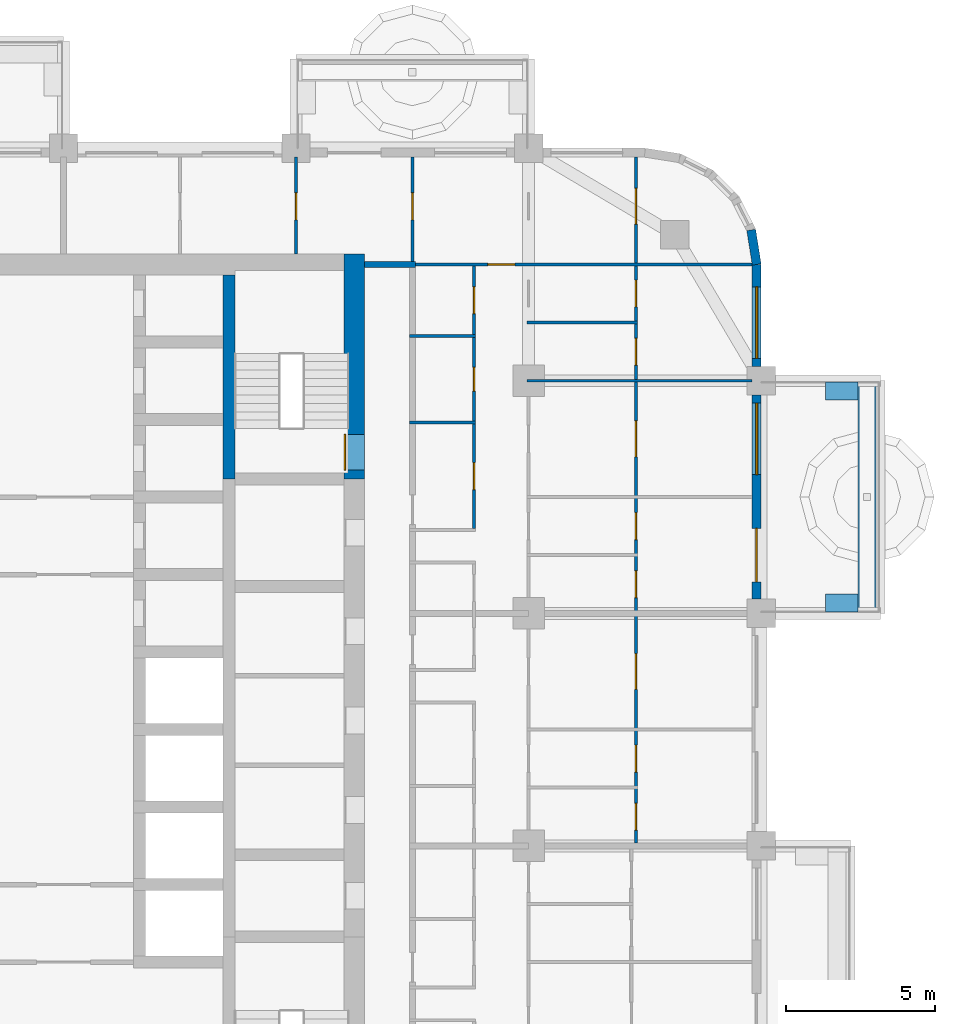
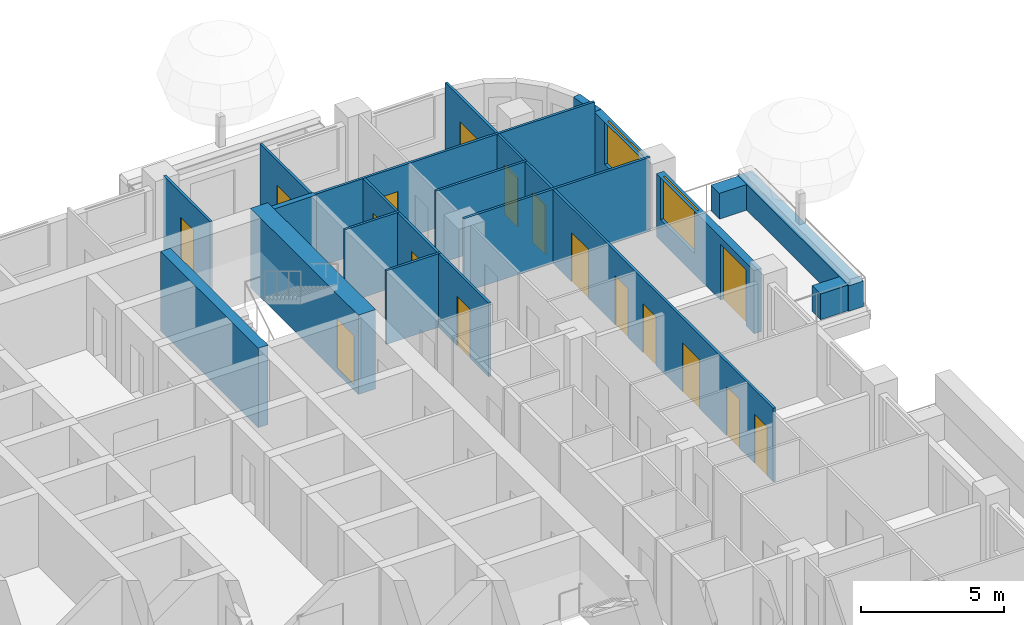
# One storey, part 13 of 19: 18 walls, 17 doors, 2 windows, 19 openings.
"""IFC4 building model written with IfcOpenShell, lengths in metres."""

import ifcopenshell
import ifcopenshell.guid

model = None  # the IFC model being written
_history = None  # IfcOwnerHistory: only IFC2X3 demands one
_inside = {}  # id of a spatial element -> (the spatial element, [elements in it])
_under = {}  # id of a project, library or spatial element -> (it, [spatial elements below it])
_declared = {}  # id of a project -> (the project, [libraries it declares])
_typed = {}  # id of a type object -> (the type object, [elements of that type])
_made_of = {}  # id of a material, layer set ... -> (it, [elements and type objects made of it])


def new_model(schema):
    """Start an empty IFC model of exactly this schema.

    Asked for "IFC4X3", IfcOpenShell would pick the latest addendum, in which some entities
    have other attributes; the version numbers below select the first issue.
    IFC2X3 requires an IfcOwnerHistory on every rooted entity: one is made here for all.
    """
    global model, _history
    if schema == "IFC4X3":
        model = ifcopenshell.file(schema_version=(4, 3, 0, 0))
    else:
        model = ifcopenshell.file(schema=schema)
    _inside.clear()
    _under.clear()
    _declared.clear()
    _typed.clear()
    _made_of.clear()
    _history = None
    if model.schema == "IFC2X3":
        org = make("IfcOrganization", Name="unknown")
        user = make(
            "IfcPersonAndOrganization",
            ThePerson=make("IfcPerson", FamilyName="unknown"),
            TheOrganization=org,
        )
        app = make(
            "IfcApplication",
            ApplicationDeveloper=org,
            Version="unknown",
            ApplicationFullName="unknown",
            ApplicationIdentifier="unknown",
        )
        _history = make(
            "IfcOwnerHistory",
            OwningUser=user,
            OwningApplication=app,
            ChangeAction="ADDED",
            CreationDate=0,
        )
    return model


def make(cls, **values):
    """One entity of the class cls with the attributes given. An attribute that is None is left unset."""
    return model.create_entity(
        cls, **{name: value for name, value in values.items() if value is not None}
    )


def rooted(cls, **values):
    """An entity with a GlobalId (a new one), such as an element, a storey or a relation."""
    return make(cls, GlobalId=ifcopenshell.guid.new(), OwnerHistory=_history, **values)


def si_unit(unit_type, name, prefix=None):
    """IfcSIUnit, for example si_unit("LENGTHUNIT", "METRE", prefix="MILLI")."""
    return make("IfcSIUnit", UnitType=unit_type, Prefix=prefix, Name=name)


def assignment(units):
    """IfcUnitAssignment: the units of a project."""
    return None if units is None else make("IfcUnitAssignment", Units=units)


def point(xyz):
    """IfcCartesianPoint."""
    return None if xyz is None else make("IfcCartesianPoint", Coordinates=xyz)


def direction(xyz):
    """IfcDirection."""
    return None if xyz is None else make("IfcDirection", DirectionRatios=xyz)


def frame(location, z_axis=None, x_axis=None):
    """IfcAxis2Placement3D, a coordinate frame: its origin and axes. An axis left out is left unset."""
    return make(
        "IfcAxis2Placement3D",
        Location=point(location),
        Axis=direction(z_axis),
        RefDirection=direction(x_axis),
    )


def frame_2d(location, x_axis=None):
    """IfcAxis2Placement2D, a coordinate frame in the plane: its origin and x axis."""
    return make(
        "IfcAxis2Placement2D", Location=point(location), RefDirection=direction(x_axis)
    )


def origin():
    """The frame at (0, 0, 0) with its axes left unset."""
    return frame((0.0, 0.0, 0.0))


def place(relative_to, where):
    """IfcLocalPlacement: puts the frame where relative to a parent placement (None: the world)."""
    return make(
        "IfcLocalPlacement", PlacementRelTo=relative_to, RelativePlacement=where
    )


def context(
    kind, dimensions, precision=None, world=None, true_north=None, identifier=None
):
    """IfcGeometricRepresentationContext, for example the 3D "Model" context."""
    return make(
        "IfcGeometricRepresentationContext",
        ContextIdentifier=identifier,
        ContextType=kind,
        CoordinateSpaceDimension=dimensions,
        Precision=precision,
        WorldCoordinateSystem=world,
        TrueNorth=true_north,
    )


def subcontext(parent, identifier, kind, view, scale=None):
    """IfcGeometricRepresentationSubContext, for example "Body" below "Model"."""
    return make(
        "IfcGeometricRepresentationSubContext",
        ContextIdentifier=identifier,
        ContextType=kind,
        ParentContext=parent,
        TargetScale=scale,
        TargetView=view,
    )


def project(units=None, contexts=None):
    """IfcProject with its units and contexts."""
    return rooted(
        "IfcProject",
        Name="project",
        RepresentationContexts=contexts,
        UnitsInContext=assignment(units),
    )


def spatial(cls, under=None, at=None, **own):
    """A site, building, storey or space (cls), placed at a placement, below another one or the project."""
    s = rooted(cls, ObjectPlacement=at, **own)
    if under is not None:
        _under.setdefault(under.id(), (under, []))[1].append(s)
    return s


def profile(cls, at=None, kind="AREA", **sizes):
    """A parametric profile (cls). Its sizes go by their IFC names, for example OverallWidth=200.0."""
    return make(cls, ProfileType=kind, Position=at, **sizes)


def rectangle(**sizes):
    """IfcRectangleProfileDef."""
    return profile("IfcRectangleProfileDef", **sizes)


def extrude(swept, where, along, depth):
    """IfcExtrudedAreaSolid: the profile swept, set in the frame where, extruded along a direction by depth."""
    return make(
        "IfcExtrudedAreaSolid",
        SweptArea=swept,
        Position=where,
        ExtrudedDirection=direction(along),
        Depth=depth,
    )


def shape(context_of_items, identifier, shape_type, items):
    """IfcShapeRepresentation: the items that make up one representation, for example the "Body"."""
    return make(
        "IfcShapeRepresentation",
        ContextOfItems=context_of_items,
        RepresentationIdentifier=identifier,
        RepresentationType=shape_type,
        Items=items,
    )


def material(Name=None, Category=None):
    """IfcMaterial."""
    return make("IfcMaterial", Name=Name, Category=Category)


def layer(
    of_material, thickness, ventilated=None, Name=None, Category=None, Priority=None
):
    """IfcMaterialLayer: one layer of a wall or slab, of a material (None: an air gap)."""
    return make(
        "IfcMaterialLayer",
        Material=of_material,
        LayerThickness=thickness,
        IsVentilated=ventilated,
        Name=Name,
        Category=Category,
        Priority=Priority,
    )


def layer_set(layers, Name=None):
    """IfcMaterialLayerSet."""
    return make("IfcMaterialLayerSet", MaterialLayers=layers, LayerSetName=Name)


def made_of(thing, what):
    """Note that an element or type object is made of a material, layer set ...; save() writes the relation."""
    if what is not None:
        _made_of.setdefault(what.id(), (what, []))[1].append(thing)
    return thing


def type_object(cls, material=None, **own):
    """A type object (cls), such as IfcWallType, which elements share."""
    return made_of(rooted(cls, **own), material)


def element(
    cls,
    number,
    at=None,
    inside=None,
    cuts=None,
    type_object=None,
    material=None,
    context=None,
    identifier="Body",
    shape_type=None,
    held_by="IfcProductDefinitionShape",
    body=None,
    shapes=None,
    **own,
):
    """One element of the class cls, such as IfcWall. Its Tag is "e" and its number.

    at: its placement. inside: the storey or other place that contains it. cuts: it is an
    opening in that element (IfcRelVoidsElement). A single representation is given by context,
    identifier, shape_type and body (its items); several are given by shapes. held_by: the class
    of the entity that holds the representations. save() writes the other relations.
    """
    e = rooted(cls, Tag="e%d" % number, ObjectPlacement=at, **own)
    if body is not None:
        shapes = [shape(context, identifier, shape_type, body)]
    if shapes is not None:
        e.Representation = make(held_by, Representations=shapes)
    if inside is not None:
        _inside.setdefault(inside.id(), (inside, []))[1].append(e)
    if cuts is not None:
        rooted(
            "IfcRelVoidsElement", RelatingBuildingElement=cuts, RelatedOpeningElement=e
        )
    if type_object is not None:
        _typed.setdefault(type_object.id(), (type_object, []))[1].append(e)
    return made_of(e, material)


def fill(opening, filler):
    """IfcRelFillsElement: the door or window that sits in an opening."""
    return rooted(
        "IfcRelFillsElement",
        RelatingOpeningElement=opening,
        RelatedBuildingElement=filler,
    )


def aggregate(whole, parts):
    """IfcRelAggregates: a whole, such as a stair, and the parts it consists of."""
    return rooted("IfcRelAggregates", RelatingObject=whole, RelatedObjects=parts)


def save(model, path):
    """Write the relations noted so far, then the file.

    IfcRelAggregates (storeys below a building ...), IfcRelContainedInSpatialStructure (elements
    in a storey), IfcRelDefinesByType, IfcRelAssociatesMaterial and IfcRelDeclares: one each for
    every whole, place, type object, material and project.
    """
    for whole, parts in _under.values():
        aggregate(whole, parts)
    for where, things in _inside.values():
        rooted(
            "IfcRelContainedInSpatialStructure",
            RelatedElements=things,
            RelatingStructure=where,
        )
    for kind, things in _typed.values():
        rooted("IfcRelDefinesByType", RelatedObjects=things, RelatingType=kind)
    for what, things in _made_of.values():
        rooted("IfcRelAssociatesMaterial", RelatedObjects=things, RelatingMaterial=what)
    for by, libraries in _declared.values():
        rooted("IfcRelDeclares", RelatingContext=by, RelatedDefinitions=libraries)
    model.write(path)


model = new_model("IFC4")

# Units and contexts
model_context = context("Model", 3, precision=1e-05, world=origin(), true_north=direction((0.0, 1.0)))
body_context = subcontext(model_context, "Body", "Model", "MODEL_VIEW")
ifc_project = project(units=[si_unit("LENGTHUNIT", "METRE"), si_unit("AREAUNIT", "SQUARE_METRE"), si_unit("VOLUMEUNIT", "CUBIC_METRE"), si_unit("PLANEANGLEUNIT", "RADIAN"), si_unit("MASSUNIT", "GRAM", prefix="KILO")], contexts=[model_context])

# Site, building, storey
site_placement = place(None, origin())
site = spatial("IfcSite", under=ifc_project, at=site_placement, CompositionType="ELEMENT")
building_placement = place(site_placement, origin())
building = spatial("IfcBuilding", under=site, at=building_placement, Name="Ludao Terraces", CompositionType="ELEMENT")
storey_placement = place(building_placement, frame((0.0, 0.0, 68.199951171875)))
storey = spatial("IfcBuildingStorey", under=building, at=storey_placement, Name="L18", CompositionType="ELEMENT", Elevation=68.199951171875)

# Wall, opening, door
ifc_material_1 = material(Name="Concrete C70", Category="concrete")
ifc_layer_1 = layer(ifc_material_1, 0.699951171875)
ifc_layer_set_1 = layer_set([ifc_layer_1], Name="Core wall 700 C70")
wall_type_1 = type_object("IfcWallType", Name="Core wall 700 C70", PredefinedType="SOLIDWALL", material=ifc_layer_set_1)
wall_1_placement = place(storey_placement, frame((94.75, 77.300048828125, -0.25), z_axis=(0.0, 0.0, 1.0), x_axis=(0.0, 1.0, 0.0)))
wall_1 = element("IfcWall", 1, at=wall_1_placement, inside=storey, type_object=wall_type_1, Name="Core wall L18 outer-E-S2", PredefinedType="SOLIDWALL", context=body_context, shape_type="SweptSolid", body=[
    extrude(rectangle(XDim=7.550048828125, YDim=0.699951171875, at=frame_2d((3.77490234375, 0.0))), origin(), (0.0, 0.0, 1.0), 3.400146484375),
])
opening_1_placement = place(wall_1_placement, frame((0.300048828125, 0.0, 0.25)))
opening_1 = element("IfcOpeningElement", 2, at=opening_1_placement, cuts=wall_1, Name="Opening R05-136", PredefinedType="OPENING", context=body_context, shape_type="SweptSolid", body=[
    extrude(rectangle(XDim=1.199951171875, YDim=2.10009765625, at=frame_2d((0.60009765625, 1.050048828125))), frame((0.0, 0.35986328125, 0.0), z_axis=(0.0, -1.0, 0.0), x_axis=(1.0, 0.0, 0.0)), (0.0, 0.0, 1.0), 0.719970703125),
])
ifc_material_2 = material(Name="Steel Q235", Category="steel")
door_type_1 = type_object("IfcDoorType", Name="INT Stair door 1200", OperationType="DOUBLE_DOOR_SINGLE_SWING", PredefinedType="DOOR", material=ifc_material_2)
door_1_placement = place(opening_1_placement, origin())
door_1 = element("IfcDoor", 3, at=door_1_placement, inside=storey, type_object=door_type_1, Name="DOOR 136", OperationType="DOUBLE_DOOR_SINGLE_SWING", OverallHeight=2.10009765625, OverallWidth=1.199951171875, PredefinedType="DOOR", context=body_context, shape_type="SweptSolid", body=[
    extrude(rectangle(XDim=1.199951171875, YDim=2.10009765625, at=frame_2d((0.60009765625, 1.050048828125))), frame((0.0, 0.3349609375, 0.0), z_axis=(0.0, -1.0, 0.0), x_axis=(1.0, 0.0, 0.0)), (0.0, 0.0, 1.0), 0.050048828125),
])
fill(opening_1, door_1)

# Walls
ifc_material_3 = material(Name="Concrete C40", Category="concrete")
ifc_layer_2 = layer(ifc_material_3, 0.60009765625)
ifc_layer_set_2 = layer_set([ifc_layer_2], Name="ENV Planter trough 600")
wall_type_2 = type_object("IfcWallType", Name="ENV Planter trough 600", PredefinedType="USERDEFINED", material=ifc_layer_set_2)
wall_2_placement = place(storey_placement, frame((111.949951171875, 72.800048828125, 0.0), z_axis=(0.0, 0.0, 1.0), x_axis=(0.0, 1.0, 0.0)))
element("IfcWall", 4, at=wall_2_placement, inside=storey, type_object=wall_type_2, Name="PL-L18-E4", ObjectType="PLANTER", PredefinedType="USERDEFINED", context=body_context, shape_type="SweptSolid", body=[
    extrude(rectangle(XDim=7.800048828125, YDim=0.60009765625, at=frame_2d((3.89990234375, 0.0))), origin(), (0.0, 0.0, 1.0), 1.10009765625),
])
for number, where, z_axis, x_axis, name in (
    (5, (111.64990234375, 73.14990234375, 0.0), (0.0, 0.0, 1.0), (-1.0, 0.0, 0.0), "PL-L18-E4-SA"),
    (6, (111.64990234375, 80.25, 0.0), (0.0, 0.0, 1.0), (-1.0, 0.0, 0.0), "PL-L18-E4-SB"),
):
    element("IfcWall", number, at=place(storey_placement, frame(where, z_axis=z_axis, x_axis=x_axis)), inside=storey, type_object=wall_type_2, Name=name, ObjectType="PLANTER", PredefinedType="USERDEFINED", context=body_context, shape_type="SweptSolid", body=[
        extrude(rectangle(XDim=1.099853515625, YDim=0.60009765625, at=frame_2d((0.5498046875, 0.0))), origin(), (0.0, 0.0, 1.0), 1.10009765625),
    ])

# Wall, openings, door, window
ifc_material_4 = material(Name="Granite cladding", Category="masonry")
ifc_layer_3 = layer(ifc_material_4, 0.0400390625, Category="stone")
ifc_material_5 = material(Name="Mineral wool")
ifc_layer_4 = layer(ifc_material_5, 0.06005859375)
ifc_layer_5 = layer(ifc_material_3, 0.199951171875, Category="concrete")
ifc_layer_set_3 = layer_set([ifc_layer_3, ifc_layer_4, ifc_layer_5], Name="ENV Stone-clad wall 300")
wall_type_3 = type_object("IfcWallType", Name="ENV Stone-clad wall 300", PredefinedType="SOLIDWALL", material=ifc_layer_set_3)
wall_3_placement = place(storey_placement, frame((108.25, 73.27490234375, 0.0), z_axis=(0.0, 0.0, 1.0), x_axis=(0.0, 1.0, 0.0)))
wall_3 = element("IfcWall", 7, at=wall_3_placement, inside=storey, type_object=wall_type_3, Name="EW-L18-E5", PredefinedType="SOLIDWALL", context=body_context, shape_type="SweptSolid", body=[
    extrude(rectangle(XDim=6.85009765625, YDim=0.300048828125, at=frame_2d((3.425048828125, 0.0))), origin(), (0.0, 0.0, 1.0), 2.699951171875),
])
opening_2_placement = place(wall_3_placement, frame((0.574951171875, 0.0, 0.0)))
opening_2 = element("IfcOpeningElement", 8, at=opening_2_placement, cuts=wall_3, Name="Opening BD", PredefinedType="OPENING", context=body_context, shape_type="SweptSolid", body=[
    extrude(rectangle(XDim=1.800048828125, YDim=2.39990234375, at=frame_2d((0.89990234375, 1.199951171875))), frame((0.0, 0.16015625, 0.0), z_axis=(0.0, -1.0, 0.0), x_axis=(1.0, 0.0, 0.0)), (0.0, 0.0, 1.0), 0.320068359375),
])
opening_3_placement = place(wall_3_placement, frame((4.175048828125, 0.0, 0.89990234375)))
opening_3 = element("IfcOpeningElement", 9, at=opening_3_placement, cuts=wall_3, Name="Opening W1", PredefinedType="OPENING", context=body_context, shape_type="SweptSolid", body=[
    extrude(rectangle(XDim=2.39990234375, YDim=1.800048828125, at=frame_2d((1.199951171875, 0.89990234375))), frame((0.0, 0.16015625, 0.0), z_axis=(0.0, -1.0, 0.0), x_axis=(1.0, 0.0, 0.0)), (0.0, 0.0, 1.0), 0.320068359375),
])
ifc_material_6 = material(Name="Aluminium glazed door", Category="aluminium")
ifc_layer_6 = layer(ifc_material_6, 0.06005859375)
ifc_layer_set_4 = layer_set([ifc_layer_6], Name="ENV Balcony door BD 1800x2400")
door_type_2 = type_object("IfcDoorType", Name="ENV Balcony door BD 1800x2400", OperationType="DOUBLE_DOOR_SINGLE_SWING", PredefinedType="DOOR", material=ifc_layer_set_4)
door_2_placement = place(opening_2_placement, origin())
door_2 = element("IfcDoor", 10, at=door_2_placement, inside=storey, type_object=door_type_2, Name="BD-L18-E5-1", OperationType="DOUBLE_DOOR_SINGLE_SWING", OverallHeight=2.39990234375, OverallWidth=1.800048828125, PredefinedType="DOOR", context=body_context, shape_type="SweptSolid", body=[
    extrude(rectangle(XDim=1.800048828125, YDim=2.39990234375, at=frame_2d((0.89990234375, 1.199951171875))), frame((0.0, 0.02490234375, 0.0), z_axis=(0.0, -1.0, 0.0), x_axis=(1.0, 0.0, 0.0)), (0.0, 0.0, 1.0), 0.050048828125),
])
fill(opening_2, door_2)
ifc_material_7 = material(Name="Clear glass in aluminium frame", Category="aluminium")
ifc_layer_7 = layer(ifc_material_7, 0.06005859375)
ifc_layer_set_5 = layer_set([ifc_layer_7], Name="ENV Window W1 2400x1800")
window_type = type_object("IfcWindowType", Name="ENV Window W1 2400x1800", PartitioningType="DOUBLE_PANEL_VERTICAL", PredefinedType="WINDOW", material=ifc_layer_set_5)
window_1_placement = place(opening_3_placement, origin())
window_1 = element("IfcWindow", 11, at=window_1_placement, inside=storey, type_object=window_type, Name="W-L18-E5-2", OverallHeight=1.800048828125, OverallWidth=2.39990234375, PartitioningType="DOUBLE_PANEL_VERTICAL", PredefinedType="WINDOW", context=body_context, shape_type="SweptSolid", body=[
    extrude(rectangle(XDim=2.39990234375, YDim=1.800048828125, at=frame_2d((1.199951171875, 0.89990234375))), frame((0.0, 0.030029296875, 0.0), z_axis=(0.0, -1.0, 0.0), x_axis=(1.0, 0.0, 0.0)), (0.0, 0.0, 1.0), 0.06005859375),
])
fill(opening_3, window_1)

# Wall, opening, window
wall_4_placement = place(storey_placement, frame((108.25, 81.074951171875, 0.0), z_axis=(0.0, 0.0, 1.0), x_axis=(0.0, 1.0, 0.0)))
wall_4 = element("IfcWall", 12, at=wall_4_placement, inside=storey, type_object=wall_type_3, Name="EW-L18-E6", PredefinedType="SOLIDWALL", context=body_context, shape_type="SweptSolid", body=[
    extrude(rectangle(XDim=3.425048828125, YDim=0.300048828125, at=frame_2d((1.71240234375, 0.0))), origin(), (0.0, 0.0, 1.0), 2.699951171875),
])
opening_4_placement = place(wall_4_placement, frame((0.27490234375, 0.0, 0.89990234375)))
opening_4 = element("IfcOpeningElement", 13, at=opening_4_placement, cuts=wall_4, Name="Opening W1", PredefinedType="OPENING", context=body_context, shape_type="SweptSolid", body=[
    extrude(rectangle(XDim=2.39990234375, YDim=1.800048828125, at=frame_2d((1.199951171875, 0.89990234375))), frame((0.0, 0.16015625, 0.0), z_axis=(0.0, -1.0, 0.0), x_axis=(1.0, 0.0, 0.0)), (0.0, 0.0, 1.0), 0.320068359375),
])
window_2_placement = place(opening_4_placement, origin())
window_2 = element("IfcWindow", 14, at=window_2_placement, inside=storey, type_object=window_type, Name="W-L18-E6-1", OverallHeight=1.800048828125, OverallWidth=2.39990234375, PartitioningType="DOUBLE_PANEL_VERTICAL", PredefinedType="WINDOW", context=body_context, shape_type="SweptSolid", body=[
    extrude(rectangle(XDim=2.39990234375, YDim=1.800048828125, at=frame_2d((1.199951171875, 0.89990234375))), frame((0.0, 0.030029296875, 0.0), z_axis=(0.0, -1.0, 0.0), x_axis=(1.0, 0.0, 0.0)), (0.0, 0.0, 1.0), 0.06005859375),
])
fill(opening_4, window_2)

# Walls
wall_5_placement = place(storey_placement, frame((108.25, 84.5, 0.0), z_axis=(0.0, 0.0, 1.0), x_axis=(-0.156496880861, 0.987678452879, 0.0)))
element("IfcWall", 15, at=wall_5_placement, inside=storey, type_object=wall_type_3, Name="EW-L18-NE1", PredefinedType="SOLIDWALL", context=body_context, shape_type="SweptSolid", body=[
    extrude(rectangle(XDim=1.173095703125, YDim=0.300048828125, at=frame_2d((0.58642578125, 0.0))), origin(), (0.0, 0.0, 1.0), 2.699951171875),
])
ifc_material_8 = material(Name="Autoclaved aerated concrete block B06 A3.5", Category="concrete")
ifc_layer_8 = layer(ifc_material_8, 0.199951171875)
ifc_layer_set_6 = layer_set([ifc_layer_8], Name="INT Entrance wall 200")
wall_type_4 = type_object("IfcWallType", Name="INT Entrance wall 200", PredefinedType="PARTITIONING", material=ifc_layer_set_6)
wall_6_placement = place(storey_placement, frame((95.10009765625, 84.5, 0.0), z_axis=(0.0, 0.0, 1.0), x_axis=(1.0, 0.0, 0.0)))
element("IfcWall", 16, at=wall_6_placement, inside=storey, type_object=wall_type_4, Name="PW-L18-PW079", PredefinedType="PARTITIONING", context=body_context, shape_type="SweptSolid", body=[
    extrude(rectangle(XDim=1.699951171875, YDim=0.199951171875, at=frame_2d((0.85009765625, 0.0))), origin(), (0.0, 0.0, 1.0), 3.150146484375),
])
ifc_material_9 = material(Name="Gypsum plasterboard", Category="gypsum")
ifc_layer_9 = layer(ifc_material_9, 0.012451171875, Category="gypsum")
ifc_layer_10 = layer(ifc_material_5, 0.06005859375, Name="insulation")
ifc_layer_11 = layer(ifc_material_2, 0.014892578125, Name="stud")
ifc_layer_12 = layer(ifc_material_9, 0.012451171875, Category="gypsum")
ifc_layer_set_7 = layer_set([ifc_layer_9, ifc_layer_10, ifc_layer_11, ifc_layer_12], Name="INT Partition 100")
wall_type_5 = type_object("IfcWallType", Name="INT Partition 100", PredefinedType="PARTITIONING", material=ifc_layer_set_7)
wall_7_placement = place(storey_placement, frame((96.60009765625, 79.199951171875, 0.0), z_axis=(0.0, 0.0, 1.0), x_axis=(1.0, 0.0, 0.0)))
element("IfcWall", 17, at=wall_7_placement, inside=storey, type_object=wall_type_5, Name="PW-L18-PW068", PredefinedType="PARTITIONING", context=body_context, shape_type="SweptSolid", body=[
    extrude(rectangle(XDim=2.219970703125, YDim=0.10009765625, at=frame_2d((1.10986328125, 0.0))), origin(), (0.0, 0.0, 1.0), 3.150146484375),
])
wall_8_placement = place(storey_placement, frame((100.550048828125, 80.60009765625, 0.0), z_axis=(0.0, 0.0, 1.0), x_axis=(1.0, 0.0, 0.0)))
element("IfcWall", 18, at=wall_8_placement, inside=storey, type_object=wall_type_5, Name="PW-L18-PW071", PredefinedType="PARTITIONING", context=body_context, shape_type="SweptSolid", body=[
    extrude(rectangle(XDim=7.550048828125, YDim=0.10009765625, at=frame_2d((3.77490234375, 0.0))), origin(), (0.0, 0.0, 1.0), 3.150146484375),
])
wall_9_placement = place(storey_placement, frame((96.60009765625, 82.10009765625, 0.0), z_axis=(0.0, 0.0, 1.0), x_axis=(1.0, 0.0, 0.0)))
element("IfcWall", 19, at=wall_9_placement, inside=storey, type_object=wall_type_5, Name="PW-L18-PW073", PredefinedType="PARTITIONING", context=body_context, shape_type="SweptSolid", body=[
    extrude(rectangle(XDim=2.219970703125, YDim=0.10009765625, at=frame_2d((1.10986328125, 0.0))), origin(), (0.0, 0.0, 1.0), 3.150146484375),
])
wall_10_placement = place(storey_placement, frame((100.550048828125, 82.550048828125, 0.0), z_axis=(0.0, 0.0, 1.0), x_axis=(1.0, 0.0, 0.0)))
element("IfcWall", 20, at=wall_10_placement, inside=storey, type_object=wall_type_5, Name="PW-L18-PW076", PredefinedType="PARTITIONING", context=body_context, shape_type="SweptSolid", body=[
    extrude(rectangle(XDim=3.699951171875, YDim=0.10009765625, at=frame_2d((1.85009765625, 0.0))), origin(), (0.0, 0.0, 1.0), 3.150146484375),
])

# Wall, opening, door
wall_11_placement = place(storey_placement, frame((96.60009765625, 84.5, 0.0), z_axis=(0.0, 0.0, 1.0), x_axis=(1.0, 0.0, 0.0)))
wall_11 = element("IfcWall", 21, at=wall_11_placement, inside=storey, type_object=wall_type_5, Name="PW-L18-PW080", PredefinedType="PARTITIONING", context=body_context, shape_type="SweptSolid", body=[
    extrude(rectangle(XDim=11.5, YDim=0.10009765625, at=frame_2d((5.75, 0.0))), origin(), (0.0, 0.0, 1.0), 3.150146484375),
])
opening_5_placement = place(wall_11_placement, frame((2.635009765625, 0.0, 0.0)))
opening_5 = element("IfcOpeningElement", 22, at=opening_5_placement, cuts=wall_11, Name="Opening R05-158", PredefinedType="OPENING", context=body_context, shape_type="SweptSolid", body=[
    extrude(rectangle(XDim=0.89990234375, YDim=2.10009765625, at=frame_2d((0.449951171875, 1.050048828125))), frame((0.0, 0.06005859375, 0.0), z_axis=(0.0, -1.0, 0.0), x_axis=(1.0, 0.0, 0.0)), (0.0, 0.0, 1.0), 0.1201171875),
])
ifc_material_10 = material(Name="Timber door leaf", Category="wood")
door_type_3 = type_object("IfcDoorType", Name="INT Room door 900", OperationType="SINGLE_SWING_LEFT", PredefinedType="DOOR", material=ifc_material_10)
door_3_placement = place(opening_5_placement, origin())
door_3 = element("IfcDoor", 23, at=door_3_placement, inside=storey, type_object=door_type_3, Name="DOOR 158", OperationType="SINGLE_SWING_RIGHT", OverallHeight=2.10009765625, OverallWidth=0.89990234375, PredefinedType="DOOR", context=body_context, shape_type="SweptSolid", body=[
    extrude(rectangle(XDim=0.89990234375, YDim=2.10009765625, at=frame_2d((0.449951171875, 1.050048828125))), frame((0.0, 0.02490234375, 0.0), z_axis=(0.0, -1.0, 0.0), x_axis=(1.0, 0.0, 0.0)), (0.0, 0.0, 1.0), 0.050048828125),
])
fill(opening_5, door_3)

wall_12_placement = place(storey_placement, frame((92.800048828125, 84.85009765625, 0.0), z_axis=(0.0, 0.0, 1.0), x_axis=(0.0, 1.0, 0.0)))
wall_12 = element("IfcWall", 24, at=wall_12_placement, inside=storey, type_object=wall_type_5, Name="PW-L18-PW115", PredefinedType="PARTITIONING", context=body_context, shape_type="SweptSolid", body=[
    extrude(rectangle(XDim=3.25, YDim=0.10009765625, at=frame_2d((1.625, 0.0))), origin(), (0.0, 0.0, 1.0), 3.150146484375),
])
opening_6_placement = place(wall_12_placement, frame((1.14990234375, 0.0, 0.0)))
opening_6 = element("IfcOpeningElement", 25, at=opening_6_placement, cuts=wall_12, Name="Opening R05-165", PredefinedType="OPENING", context=body_context, shape_type="SweptSolid", body=[
    extrude(rectangle(XDim=0.89990234375, YDim=2.10009765625, at=frame_2d((0.449951171875, 1.050048828125))), frame((0.0, 0.06005859375, 0.0), z_axis=(0.0, -1.0, 0.0), x_axis=(1.0, 0.0, 0.0)), (0.0, 0.0, 1.0), 0.1201171875),
])
door_4_placement = place(opening_6_placement, origin())
door_4 = element("IfcDoor", 26, at=door_4_placement, inside=storey, type_object=door_type_3, Name="DOOR 165", OperationType="SINGLE_SWING_LEFT", OverallHeight=2.10009765625, OverallWidth=0.89990234375, PredefinedType="DOOR", context=body_context, shape_type="SweptSolid", body=[
    extrude(rectangle(XDim=0.89990234375, YDim=2.10009765625, at=frame_2d((0.449951171875, 1.050048828125))), frame((0.0, 0.02490234375, 0.0), z_axis=(0.0, -1.0, 0.0), x_axis=(1.0, 0.0, 0.0)), (0.0, 0.0, 1.0), 0.050048828125),
])
fill(opening_6, door_4)

wall_13_placement = place(storey_placement, frame((96.699951171875, 84.60009765625, 0.0), z_axis=(0.0, 0.0, 1.0), x_axis=(0.0, 1.0, 0.0)))
wall_13 = element("IfcWall", 27, at=wall_13_placement, inside=storey, type_object=wall_type_5, Name="PW-L18-PW119", PredefinedType="PARTITIONING", context=body_context, shape_type="SweptSolid", body=[
    extrude(rectangle(XDim=3.5, YDim=0.10009765625, at=frame_2d((1.75, 0.0))), origin(), (0.0, 0.0, 1.0), 3.150146484375),
])
opening_7_placement = place(wall_13_placement, frame((1.39990234375, 0.0, 0.0)))
opening_7 = element("IfcOpeningElement", 28, at=opening_7_placement, cuts=wall_13, Name="Opening R05-166", PredefinedType="OPENING", context=body_context, shape_type="SweptSolid", body=[
    extrude(rectangle(XDim=0.89990234375, YDim=2.10009765625, at=frame_2d((0.449951171875, 1.050048828125))), frame((0.0, 0.06005859375, 0.0), z_axis=(0.0, -1.0, 0.0), x_axis=(1.0, 0.0, 0.0)), (0.0, 0.0, 1.0), 0.1201171875),
])
door_5_placement = place(opening_7_placement, origin())
door_5 = element("IfcDoor", 29, at=door_5_placement, inside=storey, type_object=door_type_3, Name="DOOR 166", OperationType="SINGLE_SWING_RIGHT", OverallHeight=2.10009765625, OverallWidth=0.89990234375, PredefinedType="DOOR", context=body_context, shape_type="SweptSolid", body=[
    extrude(rectangle(XDim=0.89990234375, YDim=2.10009765625, at=frame_2d((0.449951171875, 1.050048828125))), frame((0.0, 0.02490234375, 0.0), z_axis=(0.0, -1.0, 0.0), x_axis=(1.0, 0.0, 0.0)), (0.0, 0.0, 1.0), 0.050048828125),
])
fill(opening_7, door_5)

# Wall, openings, doors
wall_14_placement = place(storey_placement, frame((98.77001953125, 75.650146484375, 0.0), z_axis=(0.0, 0.0, 1.0), x_axis=(0.0, 1.0, 0.0)))
wall_14 = element("IfcWall", 30, at=wall_14_placement, inside=storey, type_object=wall_type_5, Name="PW-L18-PW124", PredefinedType="PARTITIONING", context=body_context, shape_type="SweptSolid", body=[
    extrude(rectangle(XDim=8.800048828125, YDim=0.10009765625, at=frame_2d((4.39990234375, 0.0))), origin(), (0.0, 0.0, 1.0), 3.150146484375),
])
opening_8_placement = place(wall_14_placement, frame((1.300048828125, 0.0, 0.0)))
opening_8 = element("IfcOpeningElement", 31, at=opening_8_placement, cuts=wall_14, Name="Opening R05-131", PredefinedType="OPENING", context=body_context, shape_type="SweptSolid", body=[
    extrude(rectangle(XDim=0.89990234375, YDim=2.10009765625, at=frame_2d((0.449951171875, 1.050048828125))), frame((0.0, 0.06005859375, 0.0), z_axis=(0.0, -1.0, 0.0), x_axis=(1.0, 0.0, 0.0)), (0.0, 0.0, 1.0), 0.1201171875),
])
opening_9_placement = place(wall_14_placement, frame((4.60009765625, 0.0, 0.0)))
opening_9 = element("IfcOpeningElement", 32, at=opening_9_placement, cuts=wall_14, Name="Opening R05-145", PredefinedType="OPENING", context=body_context, shape_type="SweptSolid", body=[
    extrude(rectangle(XDim=0.800048828125, YDim=2.10009765625, at=frame_2d((0.39990234375, 1.050048828125))), frame((0.0, 0.06005859375, 0.0), z_axis=(0.0, -1.0, 0.0), x_axis=(1.0, 0.0, 0.0)), (0.0, 0.0, 1.0), 0.1201171875),
])
opening_10_placement = place(wall_14_placement, frame((7.199951171875, 0.0, 0.0)))
opening_10 = element("IfcOpeningElement", 33, at=opening_10_placement, cuts=wall_14, Name="Opening R05-151", PredefinedType="OPENING", context=body_context, shape_type="SweptSolid", body=[
    extrude(rectangle(XDim=0.89990234375, YDim=2.10009765625, at=frame_2d((0.449951171875, 1.050048828125))), frame((0.0, 0.06005859375, 0.0), z_axis=(0.0, -1.0, 0.0), x_axis=(1.0, 0.0, 0.0)), (0.0, 0.0, 1.0), 0.1201171875),
])
door_type_4 = type_object("IfcDoorType", Name="INT Bathroom door 900", OperationType="SINGLE_SWING_LEFT", PredefinedType="DOOR", material=ifc_material_10)
door_6_placement = place(opening_10_placement, origin())
door_6 = element("IfcDoor", 34, at=door_6_placement, inside=storey, type_object=door_type_4, Name="DOOR 151", OperationType="SINGLE_SWING_LEFT", OverallHeight=2.10009765625, OverallWidth=0.89990234375, PredefinedType="DOOR", context=body_context, shape_type="SweptSolid", body=[
    extrude(rectangle(XDim=0.89990234375, YDim=2.10009765625, at=frame_2d((0.449951171875, 1.050048828125))), frame((0.0, 0.02490234375, 0.0), z_axis=(0.0, -1.0, 0.0), x_axis=(1.0, 0.0, 0.0)), (0.0, 0.0, 1.0), 0.050048828125),
])
fill(opening_10, door_6)
door_7_placement = place(opening_8_placement, origin())
door_7 = element("IfcDoor", 35, at=door_7_placement, inside=storey, type_object=door_type_3, Name="DOOR 131", OperationType="SINGLE_SWING_LEFT", OverallHeight=2.10009765625, OverallWidth=0.89990234375, PredefinedType="DOOR", context=body_context, shape_type="SweptSolid", body=[
    extrude(rectangle(XDim=0.89990234375, YDim=2.10009765625, at=frame_2d((0.449951171875, 1.050048828125))), frame((0.0, 0.02490234375, 0.0), z_axis=(0.0, -1.0, 0.0), x_axis=(1.0, 0.0, 0.0)), (0.0, 0.0, 1.0), 0.050048828125),
])
fill(opening_8, door_7)
door_type_5 = type_object("IfcDoorType", Name="INT Store door 800", OperationType="SINGLE_SWING_LEFT", PredefinedType="DOOR", material=ifc_material_10)
door_8_placement = place(opening_9_placement, origin())
door_8 = element("IfcDoor", 36, at=door_8_placement, inside=storey, type_object=door_type_5, Name="DOOR 145", OperationType="SINGLE_SWING_RIGHT", OverallHeight=2.10009765625, OverallWidth=0.800048828125, PredefinedType="DOOR", context=body_context, shape_type="SweptSolid", body=[
    extrude(rectangle(XDim=0.800048828125, YDim=2.10009765625, at=frame_2d((0.39990234375, 1.050048828125))), frame((0.0, 0.02490234375, 0.0), z_axis=(0.0, -1.0, 0.0), x_axis=(1.0, 0.0, 0.0)), (0.0, 0.0, 1.0), 0.050048828125),
])
fill(opening_9, door_8)

wall_15_placement = place(storey_placement, frame((104.199951171875, 65.10009765625, 0.0), z_axis=(0.0, 0.0, 1.0), x_axis=(0.0, 1.0, 0.0)))
wall_15 = element("IfcWall", 37, at=wall_15_placement, inside=storey, type_object=wall_type_5, Name="PW-L18-PW127", PredefinedType="PARTITIONING", context=body_context, shape_type="SweptSolid", body=[
    extrude(rectangle(XDim=23.0, YDim=0.10009765625, at=frame_2d((11.5, 0.0))), origin(), (0.0, 0.0, 1.0), 3.150146484375),
])
opening_11_placement = place(wall_15_placement, frame((0.425048828125, 0.0, 0.0)))
opening_11 = element("IfcOpeningElement", 38, at=opening_11_placement, cuts=wall_15, Name="Opening R05-090", PredefinedType="OPENING", context=body_context, shape_type="SweptSolid", body=[
    extrude(rectangle(XDim=0.89990234375, YDim=2.10009765625, at=frame_2d((0.449951171875, 1.050048828125))), frame((0.0, 0.06005859375, 0.0), z_axis=(0.0, -1.0, 0.0), x_axis=(1.0, 0.0, 0.0)), (0.0, 0.0, 1.0), 0.1201171875),
])
opening_12_placement = place(wall_15_placement, frame((2.375, 0.0, 0.0)))
opening_12 = element("IfcOpeningElement", 39, at=opening_12_placement, cuts=wall_15, Name="Opening R05-099", PredefinedType="OPENING", context=body_context, shape_type="SweptSolid", body=[
    extrude(rectangle(XDim=0.89990234375, YDim=2.10009765625, at=frame_2d((0.449951171875, 1.050048828125))), frame((0.0, 0.06005859375, 0.0), z_axis=(0.0, -1.0, 0.0), x_axis=(1.0, 0.0, 0.0)), (0.0, 0.0, 1.0), 0.1201171875),
])
opening_13_placement = place(wall_15_placement, frame((5.14990234375, 0.0, 0.0)))
opening_13 = element("IfcOpeningElement", 40, at=opening_13_placement, cuts=wall_15, Name="Opening R05-107", PredefinedType="OPENING", context=body_context, shape_type="SweptSolid", body=[
    extrude(rectangle(XDim=1.199951171875, YDim=2.10009765625, at=frame_2d((0.60009765625, 1.050048828125))), frame((0.0, 0.06005859375, 0.0), z_axis=(0.0, -1.0, 0.0), x_axis=(1.0, 0.0, 0.0)), (0.0, 0.0, 1.0), 0.1201171875),
])
opening_14_placement = place(wall_15_placement, frame((8.22509765625, 0.0, 0.0)))
opening_14 = element("IfcOpeningElement", 41, at=opening_14_placement, cuts=wall_15, Name="Opening R05-117", PredefinedType="OPENING", context=body_context, shape_type="SweptSolid", body=[
    extrude(rectangle(XDim=0.89990234375, YDim=2.10009765625, at=frame_2d((0.449951171875, 1.050048828125))), frame((0.0, 0.06005859375, 0.0), z_axis=(0.0, -1.0, 0.0), x_axis=(1.0, 0.0, 0.0)), (0.0, 0.0, 1.0), 0.1201171875),
])
opening_15_placement = place(wall_15_placement, frame((10.175048828125, 0.0, 0.0)))
opening_15 = element("IfcOpeningElement", 42, at=opening_15_placement, cuts=wall_15, Name="Opening R05-126", PredefinedType="OPENING", context=body_context, shape_type="SweptSolid", body=[
    extrude(rectangle(XDim=0.89990234375, YDim=2.10009765625, at=frame_2d((0.449951171875, 1.050048828125))), frame((0.0, 0.06005859375, 0.0), z_axis=(0.0, -1.0, 0.0), x_axis=(1.0, 0.0, 0.0)), (0.0, 0.0, 1.0), 0.1201171875),
])
opening_16_placement = place(wall_15_placement, frame((12.949951171875, 0.0, 0.0)))
opening_16 = element("IfcOpeningElement", 43, at=opening_16_placement, cuts=wall_15, Name="Opening R05-140", PredefinedType="OPENING", context=body_context, shape_type="SweptSolid", body=[
    extrude(rectangle(XDim=1.199951171875, YDim=2.10009765625, at=frame_2d((0.60009765625, 1.050048828125))), frame((0.0, 0.06005859375, 0.0), z_axis=(0.0, -1.0, 0.0), x_axis=(1.0, 0.0, 0.0)), (0.0, 0.0, 1.0), 0.1201171875),
])
opening_17_placement = place(wall_15_placement, frame((16.02490234375, 0.0, 0.0)))
opening_17 = element("IfcOpeningElement", 44, at=opening_17_placement, cuts=wall_15, Name="Opening R05-147", PredefinedType="OPENING", context=body_context, shape_type="SweptSolid", body=[
    extrude(rectangle(XDim=0.89990234375, YDim=2.10009765625, at=frame_2d((0.449951171875, 1.050048828125))), frame((0.0, 0.06005859375, 0.0), z_axis=(0.0, -1.0, 0.0), x_axis=(1.0, 0.0, 0.0)), (0.0, 0.0, 1.0), 0.1201171875),
])
opening_18_placement = place(wall_15_placement, frame((17.97509765625, 0.0, 0.0)))
opening_18 = element("IfcOpeningElement", 45, at=opening_18_placement, cuts=wall_15, Name="Opening R05-156", PredefinedType="OPENING", context=body_context, shape_type="SweptSolid", body=[
    extrude(rectangle(XDim=0.89990234375, YDim=2.10009765625, at=frame_2d((0.449951171875, 1.050048828125))), frame((0.0, 0.06005859375, 0.0), z_axis=(0.0, -1.0, 0.0), x_axis=(1.0, 0.0, 0.0)), (0.0, 0.0, 1.0), 0.1201171875),
])
opening_19_placement = place(wall_15_placement, frame((20.75, 0.0, 0.0)))
opening_19 = element("IfcOpeningElement", 46, at=opening_19_placement, cuts=wall_15, Name="Opening R05-168", PredefinedType="OPENING", context=body_context, shape_type="SweptSolid", body=[
    extrude(rectangle(XDim=1.199951171875, YDim=2.10009765625, at=frame_2d((0.60009765625, 1.050048828125))), frame((0.0, 0.06005859375, 0.0), z_axis=(0.0, -1.0, 0.0), x_axis=(1.0, 0.0, 0.0)), (0.0, 0.0, 1.0), 0.1201171875),
])
door_9_placement = place(opening_11_placement, origin())
door_9 = element("IfcDoor", 47, at=door_9_placement, inside=storey, type_object=door_type_4, Name="DOOR 090", OperationType="SINGLE_SWING_LEFT", OverallHeight=2.10009765625, OverallWidth=0.89990234375, PredefinedType="DOOR", context=body_context, shape_type="SweptSolid", body=[
    extrude(rectangle(XDim=0.89990234375, YDim=2.10009765625, at=frame_2d((0.449951171875, 1.050048828125))), frame((0.0, 0.02490234375, 0.0), z_axis=(0.0, -1.0, 0.0), x_axis=(1.0, 0.0, 0.0)), (0.0, 0.0, 1.0), 0.050048828125),
])
fill(opening_11, door_9)
door_10_placement = place(opening_14_placement, origin())
door_10 = element("IfcDoor", 48, at=door_10_placement, inside=storey, type_object=door_type_4, Name="DOOR 117", OperationType="SINGLE_SWING_LEFT", OverallHeight=2.10009765625, OverallWidth=0.89990234375, PredefinedType="DOOR", context=body_context, shape_type="SweptSolid", body=[
    extrude(rectangle(XDim=0.89990234375, YDim=2.10009765625, at=frame_2d((0.449951171875, 1.050048828125))), frame((0.0, 0.02490234375, 0.0), z_axis=(0.0, -1.0, 0.0), x_axis=(1.0, 0.0, 0.0)), (0.0, 0.0, 1.0), 0.050048828125),
])
fill(opening_14, door_10)
door_11_placement = place(opening_17_placement, origin())
door_11 = element("IfcDoor", 49, at=door_11_placement, inside=storey, type_object=door_type_4, Name="DOOR 147", OperationType="SINGLE_SWING_RIGHT", OverallHeight=2.10009765625, OverallWidth=0.89990234375, PredefinedType="DOOR", context=body_context, shape_type="SweptSolid", body=[
    extrude(rectangle(XDim=0.89990234375, YDim=2.10009765625, at=frame_2d((0.449951171875, 1.050048828125))), frame((0.0, 0.02490234375, 0.0), z_axis=(0.0, -1.0, 0.0), x_axis=(1.0, 0.0, 0.0)), (0.0, 0.0, 1.0), 0.050048828125),
])
fill(opening_17, door_11)
door_type_6 = type_object("IfcDoorType", Name="INT Double door 1200", OperationType="DOUBLE_DOOR_SINGLE_SWING", PredefinedType="DOOR", material=ifc_material_10)
door_12_placement = place(opening_13_placement, origin())
door_12 = element("IfcDoor", 50, at=door_12_placement, inside=storey, type_object=door_type_6, Name="DOOR 107", OperationType="DOUBLE_DOOR_SINGLE_SWING", OverallHeight=2.10009765625, OverallWidth=1.199951171875, PredefinedType="DOOR", context=body_context, shape_type="SweptSolid", body=[
    extrude(rectangle(XDim=1.199951171875, YDim=2.10009765625, at=frame_2d((0.60009765625, 1.050048828125))), frame((0.0, 0.02490234375, 0.0), z_axis=(0.0, -1.0, 0.0), x_axis=(1.0, 0.0, 0.0)), (0.0, 0.0, 1.0), 0.050048828125),
])
fill(opening_13, door_12)
door_13_placement = place(opening_16_placement, origin())
door_13 = element("IfcDoor", 51, at=door_13_placement, inside=storey, type_object=door_type_6, Name="DOOR 140", OperationType="DOUBLE_DOOR_SINGLE_SWING", OverallHeight=2.10009765625, OverallWidth=1.199951171875, PredefinedType="DOOR", context=body_context, shape_type="SweptSolid", body=[
    extrude(rectangle(XDim=1.199951171875, YDim=2.10009765625, at=frame_2d((0.60009765625, 1.050048828125))), frame((0.0, 0.02490234375, 0.0), z_axis=(0.0, -1.0, 0.0), x_axis=(1.0, 0.0, 0.0)), (0.0, 0.0, 1.0), 0.050048828125),
])
fill(opening_16, door_13)
door_14_placement = place(opening_19_placement, origin())
door_14 = element("IfcDoor", 52, at=door_14_placement, inside=storey, type_object=door_type_6, Name="DOOR 168", OperationType="DOUBLE_DOOR_SINGLE_SWING", OverallHeight=2.10009765625, OverallWidth=1.199951171875, PredefinedType="DOOR", context=body_context, shape_type="SweptSolid", body=[
    extrude(rectangle(XDim=1.199951171875, YDim=2.10009765625, at=frame_2d((0.60009765625, 1.050048828125))), frame((0.0, 0.02490234375, 0.0), z_axis=(0.0, -1.0, 0.0), x_axis=(1.0, 0.0, 0.0)), (0.0, 0.0, 1.0), 0.050048828125),
])
fill(opening_19, door_14)
door_15_placement = place(opening_12_placement, origin())
door_15 = element("IfcDoor", 53, at=door_15_placement, inside=storey, type_object=door_type_3, Name="DOOR 099", OperationType="SINGLE_SWING_RIGHT", OverallHeight=2.10009765625, OverallWidth=0.89990234375, PredefinedType="DOOR", context=body_context, shape_type="SweptSolid", body=[
    extrude(rectangle(XDim=0.89990234375, YDim=2.10009765625, at=frame_2d((0.449951171875, 1.050048828125))), frame((0.0, 0.02490234375, 0.0), z_axis=(0.0, -1.0, 0.0), x_axis=(1.0, 0.0, 0.0)), (0.0, 0.0, 1.0), 0.050048828125),
])
fill(opening_12, door_15)
door_16_placement = place(opening_15_placement, origin())
door_16 = element("IfcDoor", 54, at=door_16_placement, inside=storey, type_object=door_type_3, Name="DOOR 126", OperationType="SINGLE_SWING_LEFT", OverallHeight=2.10009765625, OverallWidth=0.89990234375, PredefinedType="DOOR", context=body_context, shape_type="SweptSolid", body=[
    extrude(rectangle(XDim=0.89990234375, YDim=2.10009765625, at=frame_2d((0.449951171875, 1.050048828125))), frame((0.0, 0.02490234375, 0.0), z_axis=(0.0, -1.0, 0.0), x_axis=(1.0, 0.0, 0.0)), (0.0, 0.0, 1.0), 0.050048828125),
])
fill(opening_15, door_16)
door_17_placement = place(opening_18_placement, origin())
door_17 = element("IfcDoor", 55, at=door_17_placement, inside=storey, type_object=door_type_3, Name="DOOR 156", OperationType="SINGLE_SWING_LEFT", OverallHeight=2.10009765625, OverallWidth=0.89990234375, PredefinedType="DOOR", context=body_context, shape_type="SweptSolid", body=[
    extrude(rectangle(XDim=0.89990234375, YDim=2.10009765625, at=frame_2d((0.449951171875, 1.050048828125))), frame((0.0, 0.02490234375, 0.0), z_axis=(0.0, -1.0, 0.0), x_axis=(1.0, 0.0, 0.0)), (0.0, 0.0, 1.0), 0.050048828125),
])
fill(opening_18, door_17)

# Wall
ifc_material_11 = material(Name="Concrete C60", Category="concrete")
ifc_layer_13 = layer(ifc_material_11, 0.39990234375)
ifc_layer_set_8 = layer_set([ifc_layer_13], Name="Shaft wall 400 C60")
wall_type_6 = type_object("IfcWallType", Name="Shaft wall 400 C60", PredefinedType="SOLIDWALL", material=ifc_layer_set_8)
wall_16_placement = place(storey_placement, frame((90.550048828125, 77.300048828125, -0.25), z_axis=(0.0, 0.0, 1.0), x_axis=(0.0, 1.0, 0.0)))
element("IfcWall", 56, at=wall_16_placement, inside=storey, type_object=wall_type_6, Name="Core wall L18 back-E-S2", PredefinedType="SOLIDWALL", context=body_context, shape_type="SweptSolid", body=[
    extrude(rectangle(XDim=6.849853515625, YDim=0.39990234375, at=frame_2d((3.4248046875, 0.0))), origin(), (0.0, 0.0, 1.0), 3.400146484375),
])

save(model, "model.ifc")
